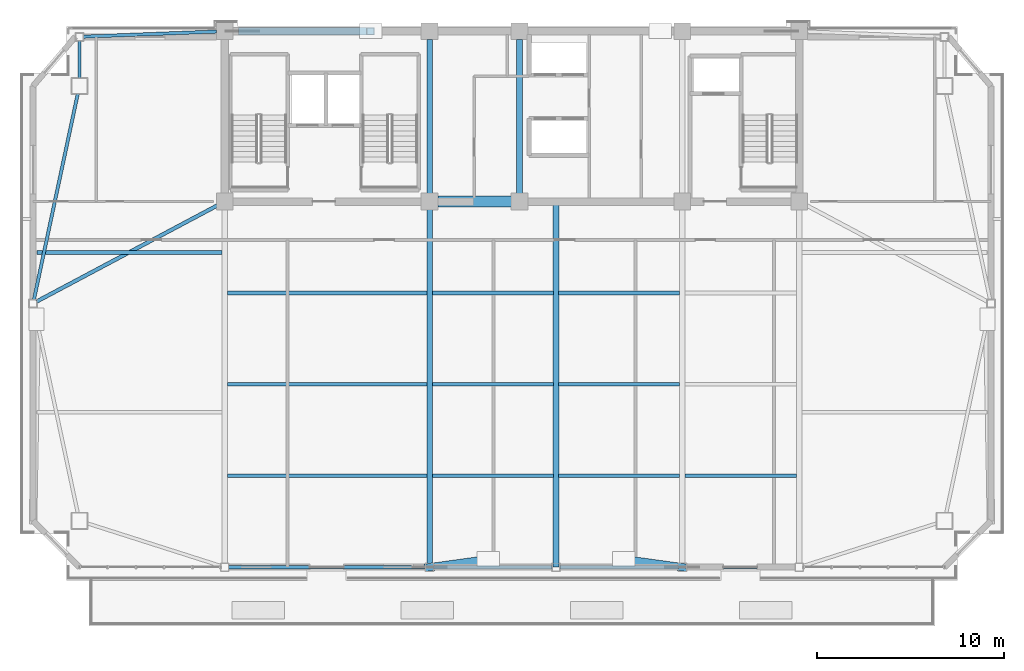
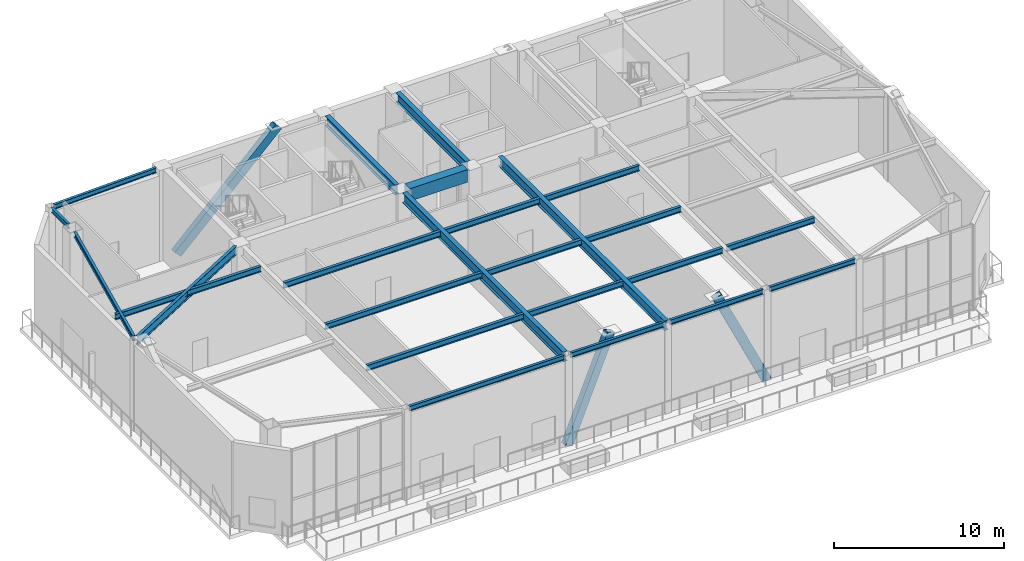
# One storey, part 3 of 15: 24 beams, 3 members.
"""IFC4 building model written with IfcOpenShell, lengths in metres."""

import ifcopenshell
import ifcopenshell.guid

model = None  # the IFC model being written
_history = None  # IfcOwnerHistory: only IFC2X3 demands one
_inside = {}  # id of a spatial element -> (the spatial element, [elements in it])
_under = {}  # id of a project, library or spatial element -> (it, [spatial elements below it])
_declared = {}  # id of a project -> (the project, [libraries it declares])
_typed = {}  # id of a type object -> (the type object, [elements of that type])
_made_of = {}  # id of a material, layer set ... -> (it, [elements and type objects made of it])


def new_model(schema):
    """Start an empty IFC model of exactly this schema.

    Asked for "IFC4X3", IfcOpenShell would pick the latest addendum, in which some entities
    have other attributes; the version numbers below select the first issue.
    IFC2X3 requires an IfcOwnerHistory on every rooted entity: one is made here for all.
    """
    global model, _history
    if schema == "IFC4X3":
        model = ifcopenshell.file(schema_version=(4, 3, 0, 0))
    else:
        model = ifcopenshell.file(schema=schema)
    _inside.clear()
    _under.clear()
    _declared.clear()
    _typed.clear()
    _made_of.clear()
    _history = None
    if model.schema == "IFC2X3":
        org = make("IfcOrganization", Name="unknown")
        user = make(
            "IfcPersonAndOrganization",
            ThePerson=make("IfcPerson", FamilyName="unknown"),
            TheOrganization=org,
        )
        app = make(
            "IfcApplication",
            ApplicationDeveloper=org,
            Version="unknown",
            ApplicationFullName="unknown",
            ApplicationIdentifier="unknown",
        )
        _history = make(
            "IfcOwnerHistory",
            OwningUser=user,
            OwningApplication=app,
            ChangeAction="ADDED",
            CreationDate=0,
        )
    return model


def make(cls, **values):
    """One entity of the class cls with the attributes given. An attribute that is None is left unset."""
    return model.create_entity(
        cls, **{name: value for name, value in values.items() if value is not None}
    )


def rooted(cls, **values):
    """An entity with a GlobalId (a new one), such as an element, a storey or a relation."""
    return make(cls, GlobalId=ifcopenshell.guid.new(), OwnerHistory=_history, **values)


def si_unit(unit_type, name, prefix=None):
    """IfcSIUnit, for example si_unit("LENGTHUNIT", "METRE", prefix="MILLI")."""
    return make("IfcSIUnit", UnitType=unit_type, Prefix=prefix, Name=name)


def assignment(units):
    """IfcUnitAssignment: the units of a project."""
    return None if units is None else make("IfcUnitAssignment", Units=units)


def point(xyz):
    """IfcCartesianPoint."""
    return None if xyz is None else make("IfcCartesianPoint", Coordinates=xyz)


def direction(xyz):
    """IfcDirection."""
    return None if xyz is None else make("IfcDirection", DirectionRatios=xyz)


def frame(location, z_axis=None, x_axis=None):
    """IfcAxis2Placement3D, a coordinate frame: its origin and axes. An axis left out is left unset."""
    return make(
        "IfcAxis2Placement3D",
        Location=point(location),
        Axis=direction(z_axis),
        RefDirection=direction(x_axis),
    )


def frame_2d(location, x_axis=None):
    """IfcAxis2Placement2D, a coordinate frame in the plane: its origin and x axis."""
    return make(
        "IfcAxis2Placement2D", Location=point(location), RefDirection=direction(x_axis)
    )


def origin():
    """The frame at (0, 0, 0) with its axes left unset."""
    return frame((0.0, 0.0, 0.0))


def origin_2d():
    """The frame at (0, 0) in the plane with its x axis left unset."""
    return frame_2d((0.0, 0.0))


def place(relative_to, where):
    """IfcLocalPlacement: puts the frame where relative to a parent placement (None: the world)."""
    return make(
        "IfcLocalPlacement", PlacementRelTo=relative_to, RelativePlacement=where
    )


def context(
    kind, dimensions, precision=None, world=None, true_north=None, identifier=None
):
    """IfcGeometricRepresentationContext, for example the 3D "Model" context."""
    return make(
        "IfcGeometricRepresentationContext",
        ContextIdentifier=identifier,
        ContextType=kind,
        CoordinateSpaceDimension=dimensions,
        Precision=precision,
        WorldCoordinateSystem=world,
        TrueNorth=true_north,
    )


def subcontext(parent, identifier, kind, view, scale=None):
    """IfcGeometricRepresentationSubContext, for example "Body" below "Model"."""
    return make(
        "IfcGeometricRepresentationSubContext",
        ContextIdentifier=identifier,
        ContextType=kind,
        ParentContext=parent,
        TargetScale=scale,
        TargetView=view,
    )


def project(units=None, contexts=None):
    """IfcProject with its units and contexts."""
    return rooted(
        "IfcProject",
        Name="project",
        RepresentationContexts=contexts,
        UnitsInContext=assignment(units),
    )


def spatial(cls, under=None, at=None, **own):
    """A site, building, storey or space (cls), placed at a placement, below another one or the project."""
    s = rooted(cls, ObjectPlacement=at, **own)
    if under is not None:
        _under.setdefault(under.id(), (under, []))[1].append(s)
    return s


def profile(cls, at=None, kind="AREA", **sizes):
    """A parametric profile (cls). Its sizes go by their IFC names, for example OverallWidth=200.0."""
    return make(cls, ProfileType=kind, Position=at, **sizes)


def rectangle(**sizes):
    """IfcRectangleProfileDef."""
    return profile("IfcRectangleProfileDef", **sizes)


def hollow_rectangle(**sizes):
    """IfcRectangleHollowProfileDef."""
    return profile("IfcRectangleHollowProfileDef", **sizes)


def i_section(**sizes):
    """IfcIShapeProfileDef."""
    return profile("IfcIShapeProfileDef", **sizes)


def extrude(swept, where, along, depth):
    """IfcExtrudedAreaSolid: the profile swept, set in the frame where, extruded along a direction by depth."""
    return make(
        "IfcExtrudedAreaSolid",
        SweptArea=swept,
        Position=where,
        ExtrudedDirection=direction(along),
        Depth=depth,
    )


def shape(context_of_items, identifier, shape_type, items):
    """IfcShapeRepresentation: the items that make up one representation, for example the "Body"."""
    return make(
        "IfcShapeRepresentation",
        ContextOfItems=context_of_items,
        RepresentationIdentifier=identifier,
        RepresentationType=shape_type,
        Items=items,
    )


def source(mapping_origin, context_of_items, identifier, shape_type, items):
    """IfcRepresentationMap: a shape defined once, which mapped items show again and again."""
    return make(
        "IfcRepresentationMap",
        MappingOrigin=mapping_origin,
        MappedRepresentation=shape(context_of_items, identifier, shape_type, items),
    )


def transform(
    local_origin,
    x_axis=None,
    y_axis=None,
    z_axis=None,
    scale=None,
    scale2=None,
    scale3=None,
    uniform=True,
):
    """IfcCartesianTransformationOperator3D, or its non-uniform kind. x_axis, y_axis, z_axis: its Axis1, 2, 3."""
    if uniform:
        return make(
            "IfcCartesianTransformationOperator3D",
            Axis1=direction(x_axis),
            Axis2=direction(y_axis),
            LocalOrigin=point(local_origin),
            Scale=scale,
            Axis3=direction(z_axis),
        )
    return make(
        "IfcCartesianTransformationOperator3DnonUniform",
        Axis1=direction(x_axis),
        Axis2=direction(y_axis),
        LocalOrigin=point(local_origin),
        Scale=scale,
        Axis3=direction(z_axis),
        Scale2=scale2,
        Scale3=scale3,
    )


def mapped(mapping_source, mapping_target):
    """IfcMappedItem: shows the shape of a source again, moved by a transform."""
    return make(
        "IfcMappedItem", MappingSource=mapping_source, MappingTarget=mapping_target
    )


def material(Name=None, Category=None):
    """IfcMaterial."""
    return make("IfcMaterial", Name=Name, Category=Category)


def material_profile(
    of_material, cross_section, Name=None, Category=None, Priority=None
):
    """IfcMaterialProfile: a cross section and its material."""
    return make(
        "IfcMaterialProfile",
        Name=Name,
        Material=of_material,
        Profile=cross_section,
        Priority=Priority,
        Category=Category,
    )


def profile_set(profiles, Name=None, composite=None):
    """IfcMaterialProfileSet."""
    return make(
        "IfcMaterialProfileSet",
        Name=Name,
        MaterialProfiles=profiles,
        CompositeProfile=composite,
    )


def made_of(thing, what):
    """Note that an element or type object is made of a material, layer set ...; save() writes the relation."""
    if what is not None:
        _made_of.setdefault(what.id(), (what, []))[1].append(thing)
    return thing


def type_object(cls, material=None, **own):
    """A type object (cls), such as IfcWallType, which elements share."""
    return made_of(rooted(cls, **own), material)


def element(
    cls,
    number,
    at=None,
    inside=None,
    cuts=None,
    type_object=None,
    material=None,
    context=None,
    identifier="Body",
    shape_type=None,
    held_by="IfcProductDefinitionShape",
    body=None,
    shapes=None,
    **own,
):
    """One element of the class cls, such as IfcWall. Its Tag is "e" and its number.

    at: its placement. inside: the storey or other place that contains it. cuts: it is an
    opening in that element (IfcRelVoidsElement). A single representation is given by context,
    identifier, shape_type and body (its items); several are given by shapes. held_by: the class
    of the entity that holds the representations. save() writes the other relations.
    """
    e = rooted(cls, Tag="e%d" % number, ObjectPlacement=at, **own)
    if body is not None:
        shapes = [shape(context, identifier, shape_type, body)]
    if shapes is not None:
        e.Representation = make(held_by, Representations=shapes)
    if inside is not None:
        _inside.setdefault(inside.id(), (inside, []))[1].append(e)
    if cuts is not None:
        rooted(
            "IfcRelVoidsElement", RelatingBuildingElement=cuts, RelatedOpeningElement=e
        )
    if type_object is not None:
        _typed.setdefault(type_object.id(), (type_object, []))[1].append(e)
    return made_of(e, material)


def aggregate(whole, parts):
    """IfcRelAggregates: a whole, such as a stair, and the parts it consists of."""
    return rooted("IfcRelAggregates", RelatingObject=whole, RelatedObjects=parts)


def save(model, path):
    """Write the relations noted so far, then the file.

    IfcRelAggregates (storeys below a building ...), IfcRelContainedInSpatialStructure (elements
    in a storey), IfcRelDefinesByType, IfcRelAssociatesMaterial and IfcRelDeclares: one each for
    every whole, place, type object, material and project.
    """
    for whole, parts in _under.values():
        aggregate(whole, parts)
    for where, things in _inside.values():
        rooted(
            "IfcRelContainedInSpatialStructure",
            RelatedElements=things,
            RelatingStructure=where,
        )
    for kind, things in _typed.values():
        rooted("IfcRelDefinesByType", RelatedObjects=things, RelatingType=kind)
    for what, things in _made_of.values():
        rooted("IfcRelAssociatesMaterial", RelatedObjects=things, RelatingMaterial=what)
    for by, libraries in _declared.values():
        rooted("IfcRelDeclares", RelatingContext=by, RelatedDefinitions=libraries)
    model.write(path)


model = new_model("IFC4")

# Units and contexts
model_context = context("Model", 3, precision=1e-05, world=origin(), true_north=direction((0.0, 1.0)))
body_context = subcontext(model_context, "Body", "Model", "MODEL_VIEW")
ifc_project = project(units=[si_unit("LENGTHUNIT", "METRE"), si_unit("AREAUNIT", "SQUARE_METRE"), si_unit("VOLUMEUNIT", "CUBIC_METRE"), si_unit("PLANEANGLEUNIT", "RADIAN"), si_unit("MASSUNIT", "GRAM", prefix="KILO")], contexts=[model_context])

# Site, building, storey
site_placement = place(None, origin())
site = spatial("IfcSite", under=ifc_project, at=site_placement, CompositionType="ELEMENT")
building_placement = place(site_placement, origin())
building = spatial("IfcBuilding", under=site, at=building_placement, Name="Giltprow Tower", CompositionType="ELEMENT")
storey_placement = place(building_placement, frame((0.0, 0.0, 279.10009765625)))
storey = spatial("IfcBuildingStorey", under=building, at=storey_placement, Name="L72", CompositionType="ELEMENT", Elevation=279.10009765625)

# Beams
ifc_material_1 = material(Name="Structural steel Q355B", Category="steel")
ifc_material_profile_1 = material_profile(ifc_material_1, i_section(OverallWidth=0.199951171875, OverallDepth=0.39990234375, WebThickness=0.008056640625, FlangeThickness=0.012939453125, at=origin_2d()), Name="HN 400x200x8x13")
ifc_profile_set_1 = profile_set([ifc_material_profile_1], Name="Structural steel Q355B")
beam_type_1 = type_object("IfcBeamType", Name="BM-JOIST-HN400", PredefinedType="JOIST", material=ifc_profile_set_1)
shared_shape_1 = source(origin(), body_context, "Body", "SweptSolid", [
    extrude(i_section(OverallWidth=0.199951171875, OverallDepth=0.39990234375, WebThickness=0.008056640625, FlangeThickness=0.012939453125, at=origin_2d()), origin(), (0.0, 0.0, 1.0), 10.659912109375),
])
for number, where, z_axis, x_axis, name in (
    (1, (19.9951171875, 22.7939453125, 6.31982421875), (1.0, 0.0, 0.0), (0.0, 1.0, 0.0), "L72 Composite Floor Joist 1-1"),
    (2, (19.9951171875, 27.678955078125, 6.31982421875), (1.0, 0.0, 0.0), (0.0, 1.0, 0.0), "L72 Composite Floor Joist 2-1"),
    (3, (19.9951171875, 32.56494140625, 6.31982421875), (1.0, 0.0, 0.0), (0.0, 1.0, 0.0), "L72 Composite Floor Joist 3-1"),
):
    element("IfcBeam", number, at=place(storey_placement, frame(where, z_axis=z_axis, x_axis=x_axis)), inside=storey, type_object=beam_type_1, Name=name, PredefinedType="JOIST", context=body_context, shape_type="MappedRepresentation", body=[
        mapped(shared_shape_1, transform((0.0, 0.0, 0.0), x_axis=(1.0, 0.0, 0.0), y_axis=(0.0, 1.0, 0.0), z_axis=(0.0, 0.0, 1.0), scale=1.0)),
    ])
shared_shape_2 = source(origin(), body_context, "Body", "SweptSolid", [
    extrude(i_section(OverallWidth=0.199951171875, OverallDepth=0.39990234375, WebThickness=0.008056640625, FlangeThickness=0.012939453125, at=origin_2d()), origin(), (0.0, 0.0, 1.0), 6.4599609375),
])
for number, where, z_axis, x_axis, name in (
    (4, (30.945068359375, 22.7939453125, 6.31982421875), (1.0, 0.0, 0.0), (0.0, 1.0, 0.0), "L72 Composite Floor Joist 1-2"),
    (5, (37.695068359375, 22.7939453125, 6.31982421875), (1.0, 0.0, 0.0), (0.0, 1.0, 0.0), "L72 Composite Floor Joist 1-3"),
    (6, (30.945068359375, 27.678955078125, 6.31982421875), (1.0, 0.0, 0.0), (0.0, 1.0, 0.0), "L72 Composite Floor Joist 2-2"),
    (7, (37.695068359375, 27.678955078125, 6.31982421875), (1.0, 0.0, 0.0), (0.0, 1.0, 0.0), "L72 Composite Floor Joist 2-3"),
    (8, (30.945068359375, 32.56494140625, 6.31982421875), (1.0, 0.0, 0.0), (0.0, 1.0, 0.0), "L72 Composite Floor Joist 3-2"),
    (9, (37.695068359375, 32.56494140625, 6.31982421875), (1.0, 0.0, 0.0), (0.0, 1.0, 0.0), "L72 Composite Floor Joist 3-3"),
):
    element("IfcBeam", number, at=place(storey_placement, frame(where, z_axis=z_axis, x_axis=x_axis)), inside=storey, type_object=beam_type_1, Name=name, PredefinedType="JOIST", context=body_context, shape_type="MappedRepresentation", body=[
        mapped(shared_shape_2, transform((0.0, 0.0, 0.0), x_axis=(1.0, 0.0, 0.0), y_axis=(0.0, 1.0, 0.0), z_axis=(0.0, 0.0, 1.0), scale=1.0)),
    ])
shared_shape_3 = source(origin(), body_context, "Body", "SweptSolid", [
    extrude(i_section(OverallWidth=0.199951171875, OverallDepth=0.39990234375, WebThickness=0.008056640625, FlangeThickness=0.012939453125, at=origin_2d()), origin(), (0.0, 0.0, 1.0), 5.9599609375),
])
beam_1_placement = place(storey_placement, frame((44.445068359375, 22.7939453125, 6.31982421875), z_axis=(1.0, 0.0, 0.0), x_axis=(0.0, 1.0, 0.0)))
element("IfcBeam", 10, at=beam_1_placement, inside=storey, type_object=beam_type_1, Name="L72 Composite Floor Joist 1-4", PredefinedType="JOIST", context=body_context, shape_type="MappedRepresentation", body=[
    mapped(shared_shape_3, transform((0.0, 0.0, 0.0), x_axis=(1.0, 0.0, 0.0), y_axis=(0.0, 1.0, 0.0), z_axis=(0.0, 0.0, 1.0), scale=1.0)),
])
ifc_material_2 = material(Name="Concrete C50", Category="concrete")
ifc_material_profile_2 = material_profile(ifc_material_2, rectangle(XDim=0.60009765625, YDim=0.89990234375, at=origin_2d()), Name="RC 900x600")
ifc_profile_set_2 = profile_set([ifc_material_profile_2], Name="Concrete C50")
beam_type_2 = type_object("IfcBeamType", Name="BM-CPL-RC900", PredefinedType="LINTEL", material=ifc_profile_set_2)
shared_shape_4 = source(origin(), body_context, "Body", "SweptSolid", [
    extrude(rectangle(XDim=0.60009765625, YDim=0.89990234375, at=origin_2d()), origin(), (0.0, 0.0, 1.0), 3.929931640625),
])
beam_2_placement = place(storey_placement, frame((31.235107421875, 37.449951171875, 6.06982421875), z_axis=(1.0, 0.0, 0.0), x_axis=(0.0, 1.0, 0.0)))
element("IfcBeam", 11, at=beam_2_placement, inside=storey, type_object=beam_type_2, Name="L72 Core Coupling Beam CB-1", PredefinedType="LINTEL", context=body_context, shape_type="MappedRepresentation", body=[
    mapped(shared_shape_4, transform((0.0, 0.0, 0.0), x_axis=(1.0, 0.0, 0.0), y_axis=(0.0, 1.0, 0.0), z_axis=(0.0, 0.0, 1.0), scale=1.0)),
])
ifc_material_profile_3 = material_profile(ifc_material_1, i_section(OverallWidth=0.300048828125, OverallDepth=0.699951171875, WebThickness=0.012939453125, FlangeThickness=0.02392578125, at=origin_2d()), Name="HN 700x300x13x24")
ifc_profile_set_3 = profile_set([ifc_material_profile_3], Name="Structural steel Q355B")
beam_type_3 = type_object("IfcBeamType", Name="BM-GIRD-HN700", PredefinedType="BEAM", material=ifc_profile_set_3)
shared_shape_5 = source(origin(), body_context, "Body", "SweptSolid", [
    extrude(i_section(OverallWidth=0.300048828125, OverallDepth=0.699951171875, WebThickness=0.012939453125, FlangeThickness=0.02392578125, at=origin_2d()), origin(), (0.0, 0.0, 1.0), 8.22998046875),
])
for number, where, z_axis, x_axis, name in (
    (12, (30.800048828125, 37.885009765625, 6.169921875), (0.0, 1.0, 0.0), (-1.0, 0.0, 0.0), "L72 Core Tie Girder M1"),
    (13, (35.60009765625, 37.885009765625, 6.169921875), (0.0, 1.0, 0.0), (-1.0, 0.0, 0.0), "L72 Core Tie Girder M2"),
):
    element("IfcBeam", number, at=place(storey_placement, frame(where, z_axis=z_axis, x_axis=x_axis)), inside=storey, type_object=beam_type_3, Name=name, PredefinedType="BEAM", context=body_context, shape_type="MappedRepresentation", body=[
        mapped(shared_shape_5, transform((0.0, 0.0, 0.0), x_axis=(1.0, 0.0, 0.0), y_axis=(0.0, 1.0, 0.0), z_axis=(0.0, 0.0, 1.0), scale=1.0)),
    ])
ifc_material_profile_4 = material_profile(ifc_material_1, i_section(OverallWidth=0.175048828125, OverallDepth=0.35009765625, WebThickness=0.007080078125, FlangeThickness=0.010986328125, at=origin_2d()), Name="HN 350x175x7x11")
ifc_profile_set_4 = profile_set([ifc_material_profile_4], Name="Structural steel Q355B")
beam_type_4 = type_object("IfcBeamType", Name="BM-SPAN-HN350", PredefinedType="SPANDREL", material=ifc_profile_set_4)
shared_shape_6 = source(origin(), body_context, "Body", "SweptSolid", [
    extrude(i_section(OverallWidth=0.175048828125, OverallDepth=0.35009765625, WebThickness=0.007080078125, FlangeThickness=0.010986328125, at=origin_2d()), origin(), (0.0, 0.0, 1.0), 10.530029296875),
])
beam_3_placement = place(storey_placement, frame((20.06005859375, 17.907958984375, 6.344970703125), z_axis=(1.0, 0.0, 0.0), x_axis=(0.0, 1.0, 0.0)))
element("IfcBeam", 14, at=beam_3_placement, inside=storey, type_object=beam_type_4, Name="L72 Perimeter Spandrel Beam S1-S2", PredefinedType="SPANDREL", context=body_context, shape_type="MappedRepresentation", body=[
    mapped(shared_shape_6, transform((0.0, 0.0, 0.0), x_axis=(1.0, 0.0, 0.0), y_axis=(0.0, 1.0, 0.0), z_axis=(0.0, 0.0, 1.0), scale=1.0)),
])
shared_shape_7 = source(origin(), body_context, "Body", "SweptSolid", [
    extrude(i_section(OverallWidth=0.175048828125, OverallDepth=0.35009765625, WebThickness=0.007080078125, FlangeThickness=0.010986328125, at=origin_2d()), origin(), (0.0, 0.0, 1.0), 6.330078125),
])
for number, where, z_axis, x_axis, name in (
    (15, (31.010009765625, 17.907958984375, 6.344970703125), (1.0, 0.0, 0.0), (0.0, 1.0, 0.0), "L72 Perimeter Spandrel Beam S2-S_MID"),
    (16, (37.760009765625, 17.907958984375, 6.344970703125), (1.0, 0.0, 0.0), (0.0, 1.0, 0.0), "L72 Perimeter Spandrel Beam S_MID-S3"),
):
    element("IfcBeam", number, at=place(storey_placement, frame(where, z_axis=z_axis, x_axis=x_axis)), inside=storey, type_object=beam_type_4, Name=name, PredefinedType="SPANDREL", context=body_context, shape_type="MappedRepresentation", body=[
        mapped(shared_shape_7, transform((0.0, 0.0, 0.0), x_axis=(1.0, 0.0, 0.0), y_axis=(0.0, 1.0, 0.0), z_axis=(0.0, 0.0, 1.0), scale=1.0)),
    ])
shared_shape_8 = source(origin(), body_context, "Body", "SweptSolid", [
    extrude(i_section(OverallWidth=0.175048828125, OverallDepth=0.35009765625, WebThickness=0.007080078125, FlangeThickness=0.010986328125, at=origin_2d()), origin(), (0.0, 0.0, 1.0), 5.830078125),
])
beam_4_placement = place(storey_placement, frame((44.510009765625, 17.907958984375, 6.344970703125), z_axis=(1.0, 0.0, 0.0), x_axis=(0.0, 1.0, 0.0)))
element("IfcBeam", 17, at=beam_4_placement, inside=storey, type_object=beam_type_4, Name="L72 Perimeter Spandrel Beam S3-S4", PredefinedType="SPANDREL", context=body_context, shape_type="MappedRepresentation", body=[
    mapped(shared_shape_8, transform((0.0, 0.0, 0.0), x_axis=(1.0, 0.0, 0.0), y_axis=(0.0, 1.0, 0.0), z_axis=(0.0, 0.0, 1.0), scale=1.0)),
])
shared_shape_9 = source(origin(), body_context, "Body", "SweptSolid", [
    extrude(i_section(OverallWidth=0.175048828125, OverallDepth=0.35009765625, WebThickness=0.007080078125, FlangeThickness=0.010986328125, at=origin_2d()), origin(), (0.0, 0.0, 1.0), 11.23486328125),
])
beam_5_placement = place(storey_placement, frame((11.9951171875, 43.197021484375, 6.344970703125), z_axis=(-0.208461937022, -0.978030480513, 0.0), x_axis=(0.978030480513, -0.208461937022, 0.0)))
element("IfcBeam", 18, at=beam_5_placement, inside=storey, type_object=beam_type_4, Name="L72 Perimeter Spandrel Beam MC_NW-W_MID", PredefinedType="SPANDREL", context=body_context, shape_type="MappedRepresentation", body=[
    mapped(shared_shape_9, transform((0.0, 0.0, 0.0), x_axis=(1.0, 0.0, 0.0), y_axis=(0.0, 1.0, 0.0), z_axis=(0.0, 0.0, 1.0), scale=1.0)),
])
shared_shape_10 = source(origin(), body_context, "Body", "SweptSolid", [
    extrude(i_section(OverallWidth=0.175048828125, OverallDepth=0.35009765625, WebThickness=0.007080078125, FlangeThickness=0.010986328125, at=origin_2d()), origin(), (0.0, 0.0, 1.0), 1.983154296875),
])
beam_6_placement = place(storey_placement, frame((12.0859375, 46.0400390625, 6.344970703125), z_axis=(0.0, -1.0, 0.0), x_axis=(1.0, 0.0, 0.0)))
element("IfcBeam", 19, at=beam_6_placement, inside=storey, type_object=beam_type_4, Name="L72 Perimeter Spandrel Beam N_W-MC_NW", PredefinedType="SPANDREL", context=body_context, shape_type="MappedRepresentation", body=[
    mapped(shared_shape_10, transform((0.0, 0.0, 0.0), x_axis=(1.0, 0.0, 0.0), y_axis=(0.0, 1.0, 0.0), z_axis=(0.0, 0.0, 1.0), scale=1.0)),
])
shared_shape_11 = source(origin(), body_context, "Body", "SweptSolid", [
    extrude(i_section(OverallWidth=0.175048828125, OverallDepth=0.35009765625, WebThickness=0.007080078125, FlangeThickness=0.010986328125, at=origin_2d()), origin(), (0.0, 0.0, 1.0), 7.12451171875),
])
beam_7_placement = place(storey_placement, frame((12.2958984375, 46.258056640625, 6.344970703125), z_axis=(0.999255291346, 0.038585783884, 0.0), x_axis=(-0.038585783884, 0.999255291346, 0.0)))
element("IfcBeam", 20, at=beam_7_placement, inside=storey, type_object=beam_type_4, Name="L72 North Wing Spandrel W", PredefinedType="SPANDREL", context=body_context, shape_type="MappedRepresentation", body=[
    mapped(shared_shape_11, transform((0.0, 0.0, 0.0), x_axis=(1.0, 0.0, 0.0), y_axis=(0.0, 1.0, 0.0), z_axis=(0.0, 0.0, 1.0), scale=1.0)),
])
shared_shape_12 = source(origin(), body_context, "Body", "SweptSolid", [
    extrude(i_section(OverallWidth=0.300048828125, OverallDepth=0.699951171875, WebThickness=0.012939453125, FlangeThickness=0.02392578125, at=origin_2d()), origin(), (0.0, 0.0, 1.0), 18.89697265625),
])
beam_8_placement = place(storey_placement, frame((30.800048828125, 18.117919921875, 6.169921875), z_axis=(0.0, 1.0, 0.0), x_axis=(-1.0, 0.0, 0.0)))
element("IfcBeam", 21, at=beam_8_placement, inside=storey, type_object=beam_type_3, Name="L72 Primary Lease Girder S2", PredefinedType="BEAM", context=body_context, shape_type="MappedRepresentation", body=[
    mapped(shared_shape_12, transform((0.0, 0.0, 0.0), x_axis=(1.0, 0.0, 0.0), y_axis=(0.0, 1.0, 0.0), z_axis=(0.0, 0.0, 1.0), scale=1.0)),
])
shared_shape_13 = source(origin(), body_context, "Body", "SweptSolid", [
    extrude(i_section(OverallWidth=0.300048828125, OverallDepth=0.699951171875, WebThickness=0.012939453125, FlangeThickness=0.02392578125, at=origin_2d()), origin(), (0.0, 0.0, 1.0), 19.5419921875),
])
beam_9_placement = place(storey_placement, frame((37.550048828125, 17.907958984375, 6.169921875), z_axis=(0.0, 1.0, 0.0), x_axis=(-1.0, 0.0, 0.0)))
element("IfcBeam", 22, at=beam_9_placement, inside=storey, type_object=beam_type_3, Name="L72 Central Lease Girder SMID", PredefinedType="BEAM", context=body_context, shape_type="MappedRepresentation", body=[
    mapped(shared_shape_13, transform((0.0, 0.0, 0.0), x_axis=(1.0, 0.0, 0.0), y_axis=(0.0, 1.0, 0.0), z_axis=(0.0, 0.0, 1.0), scale=1.0)),
])
ifc_material_profile_5 = material_profile(ifc_material_1, i_section(OverallWidth=0.199951171875, OverallDepth=0.60009765625, WebThickness=0.010986328125, FlangeThickness=0.01708984375, at=origin_2d()), Name="HN 600x200x11x17")
ifc_profile_set_5 = profile_set([ifc_material_profile_5], Name="Structural steel Q355B")
beam_type_5 = type_object("IfcBeamType", Name="BM-GIRD-HN600", PredefinedType="BEAM", material=ifc_profile_set_5)
shared_shape_14 = source(origin(), body_context, "Body", "SweptSolid", [
    extrude(i_section(OverallWidth=0.199951171875, OverallDepth=0.60009765625, WebThickness=0.010986328125, FlangeThickness=0.01708984375, at=origin_2d()), origin(), (0.0, 0.0, 1.0), 10.95458984375),
])
beam_10_placement = place(storey_placement, frame((9.7939453125, 32.10302734375, 6.219970703125), z_axis=(0.882935883546, 0.469493584138, 0.0), x_axis=(-0.469493584138, 0.882935883546, 0.0)))
element("IfcBeam", 23, at=beam_10_placement, inside=storey, type_object=beam_type_5, Name="L72 West Wing Primary Girder", PredefinedType="BEAM", context=body_context, shape_type="MappedRepresentation", body=[
    mapped(shared_shape_14, transform((0.0, 0.0, 0.0), x_axis=(1.0, 0.0, 0.0), y_axis=(0.0, 1.0, 0.0), z_axis=(0.0, 0.0, 1.0), scale=1.0)),
])
shared_shape_15 = source(origin(), body_context, "Body", "SweptSolid", [
    extrude(i_section(OverallWidth=0.199951171875, OverallDepth=0.39990234375, WebThickness=0.008056640625, FlangeThickness=0.012939453125, at=origin_2d()), origin(), (0.0, 0.0, 1.0), 9.8759765625),
])
beam_11_placement = place(storey_placement, frame((9.8291015625, 34.72705078125, 6.31982421875), z_axis=(1.0, 0.0, 0.0), x_axis=(0.0, 1.0, 0.0)))
element("IfcBeam", 24, at=beam_11_placement, inside=storey, type_object=beam_type_1, Name="L72 West Wing Floor Joist 2", PredefinedType="JOIST", context=body_context, shape_type="MappedRepresentation", body=[
    mapped(shared_shape_15, transform((0.0, 0.0, 0.0), x_axis=(1.0, 0.0, 0.0), y_axis=(0.0, 1.0, 0.0), z_axis=(0.0, 0.0, 1.0), scale=1.0)),
])

# Members
ifc_material_3 = material(Name="Structural steel Q420GJC", Category="steel")
ifc_material_profile_6 = material_profile(ifc_material_3, hollow_rectangle(XDim=0.39990234375, YDim=0.60009765625, WallThickness=0.028076171875, at=origin_2d()), Name="RHS 600x400x28")
ifc_profile_set_6 = profile_set([ifc_material_profile_6], Name="Structural steel Q420GJC")
member_type = type_object("IfcMemberType", Name="MBR-MEGA-RHS600", PredefinedType="BRACE", material=ifc_profile_set_6)
shared_shape_16 = source(origin(), body_context, "Body", "SweptSolid", [
    extrude(hollow_rectangle(XDim=0.39990234375, YDim=0.60009765625, WallThickness=0.028076171875, at=origin_2d()), origin(), (0.0, 0.0, 1.0), 7.494873046875),
])
for number, where, z_axis, x_axis, name in (
    (25, (30.800048828125, 17.907958984375, 0.0), (0.416567176798, 0.057657483808, 0.907274711306), (-0.137103948829, 0.990556665323, 0.0), "L72 Chevron Mega-Brace S-L"),
    (26, (44.300048828125, 17.907958984375, 0.0), (-0.416567176798, 0.057657483808, 0.907274711306), (-0.137103948829, -0.990556665323, 0.0), "L72 Chevron Mega-Brace S-R"),
):
    element("IfcMember", number, at=place(storey_placement, frame(where, z_axis=z_axis, x_axis=x_axis)), inside=storey, type_object=member_type, Name=name, PredefinedType="BRACE", context=body_context, shape_type="MappedRepresentation", body=[
        mapped(shared_shape_16, transform((0.0, 0.0, 0.0), x_axis=(1.0, 0.0, 0.0), y_axis=(0.0, 1.0, 0.0), z_axis=(0.0, 0.0, 1.0), scale=1.0)),
    ])
shared_shape_17 = source(origin(), body_context, "Body", "SweptSolid", [
    extrude(hollow_rectangle(XDim=0.39990234375, YDim=0.60009765625, WallThickness=0.028076171875, at=origin_2d()), origin(), (0.0, 0.0, 1.0), 9.649169921875),
])
member_placement = place(storey_placement, frame((20.800048828125, 46.550048828125, -0.14013671875), z_axis=(0.709481128324, 0.0, 0.704724434479), x_axis=(0.0, 1.0, 0.0)))
element("IfcMember", 27, at=member_placement, inside=storey, type_object=member_type, Name="L72 Chevron Mega-Brace N-L", PredefinedType="BRACE", context=body_context, shape_type="MappedRepresentation", body=[
    mapped(shared_shape_17, transform((0.0, 0.0, 0.0), x_axis=(1.0, 0.0, 0.0), y_axis=(0.0, 1.0, 0.0), z_axis=(0.0, 0.0, 1.0), scale=1.0)),
])

save(model, "model.ifc")
